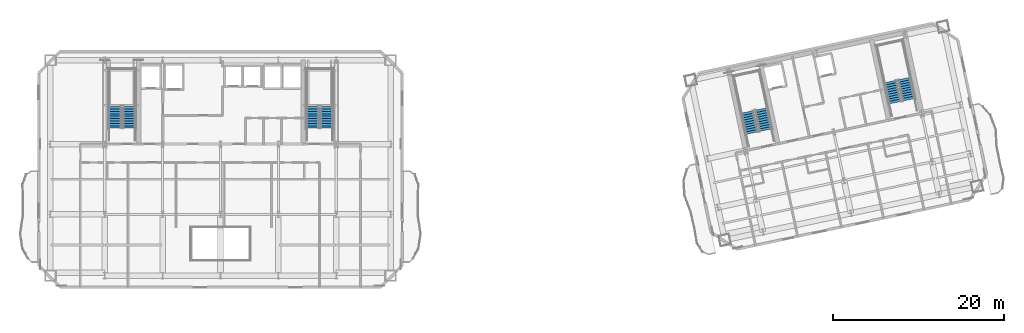
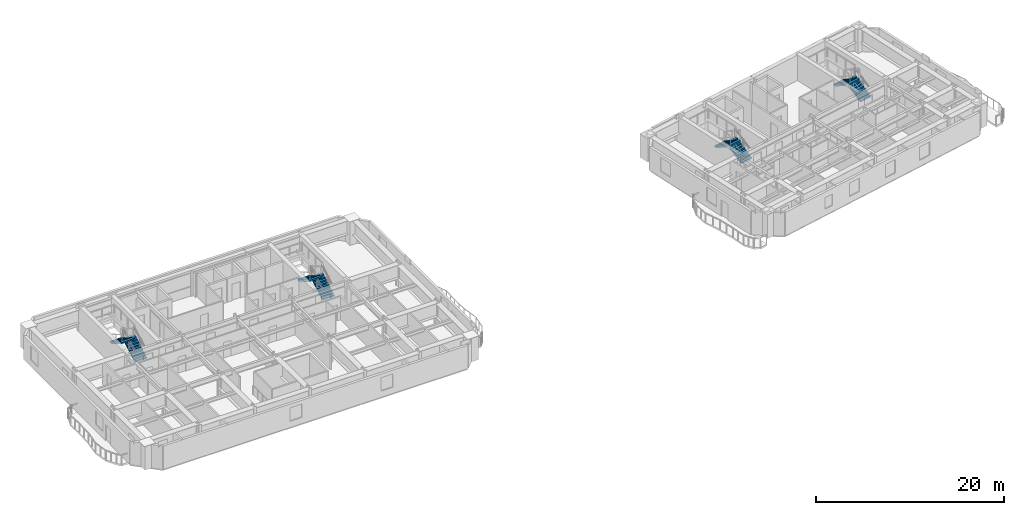
# One storey, part 11 of 15: 8 stair flights, 4 elements without a shape of their own.
"""IFC4 building model written with IfcOpenShell, lengths in metres."""

from ifc_helpers import new_model, si_unit, direction, frame, origin, place, context, subcontext, project, spatial, polyline, outline, extrude, material, type_object, element, aggregate, save


model = new_model("IFC4")

# Units and contexts
model_context = context("Model", 3, precision=1e-05, world=origin(), true_north=direction((0.0, 1.0)))
body_context = subcontext(model_context, "Body", "Model", "MODEL_VIEW")
ifc_project = project(units=[si_unit("LENGTHUNIT", "METRE"), si_unit("AREAUNIT", "SQUARE_METRE"), si_unit("VOLUMEUNIT", "CUBIC_METRE"), si_unit("PLANEANGLEUNIT", "RADIAN"), si_unit("MASSUNIT", "GRAM", prefix="KILO")], contexts=[model_context])

# Site, building, storey
site_placement = place(None, origin())
site = spatial("IfcSite", under=ifc_project, at=site_placement, CompositionType="ELEMENT")
building_placement = place(site_placement, origin())
building = spatial("IfcBuilding", under=site, at=building_placement, Name="Haevon Station Towers", CompositionType="ELEMENT")
storey_placement = place(building_placement, frame((0.0, 0.0, 152.699951171875)))
storey = spatial("IfcBuildingStorey", under=building, at=storey_placement, Name="L41", CompositionType="ELEMENT", Elevation=152.699951171875)

# Stair, stair flights
ifc_material = material(Name="Concrete C40/50", Category="concrete")
stair_type = type_object("IfcStairType", Name="STR-DL1450", PredefinedType="USERDEFINED", material=ifc_material)
stair_1_placement = place(storey_placement, origin())
stair_1 = element("IfcStair", 1, at=stair_1_placement, inside=storey, type_object=stair_type, Name="L41 Escape Stair ST1", ObjectType="TWO_RETURN_STAIR", PredefinedType="USERDEFINED")
stair_flight_type = type_object("IfcStairFlightType", Name="STF-ST1450", PredefinedType="STRAIGHT", material=ifc_material)
stair_flight_1_placement = place(storey_placement, frame((26.85498046875, 40.050048828125, 0.0), z_axis=(0.0, 0.0, 1.0), x_axis=(0.0, 1.0, 0.0)))
stair_flight_1 = element("IfcStairFlight", 2, at=stair_flight_1_placement, type_object=stair_flight_type, Name="L41 ST1 Flight 1", NumberOfRisers=10, NumberOfTreads=9, PredefinedType="STRAIGHT", RiserHeight=0.165, TreadLength=0.28, context=body_context, shape_type="SweptSolid", body=[
    extrude(outline(polyline([(0.0, 0.0), (0.0, 0.1650390625), (0.280029296875, 0.1650390625), (0.280029296875, 0.330078125), (0.56005859375, 0.330078125), (0.56005859375, 0.4951171875), (0.840087890625, 0.4951171875), (0.840087890625, 0.659912109375), (1.1201171875, 0.659912109375), (1.1201171875, 0.824951171875), (1.39990234375, 0.824951171875), (1.39990234375, 0.989990234375), (1.679931640625, 0.989990234375), (1.679931640625, 1.155029296875), (1.9599609375, 1.155029296875), (1.9599609375, 1.320068359375), (2.239990234375, 1.320068359375), (2.239990234375, 1.485107421875), (2.52001953125, 1.485107421875), (2.52001953125, 1.64990234375), (2.52001953125, 1.29931640625), (0.31494140625, 0.0), (0.0, 0.0)])), frame((0.0, 0.72509765625, 0.0), z_axis=(0.0, -1.0, 0.0), x_axis=(1.0, 0.0, 0.0)), (0.0, 0.0, 1.0), 1.449951171875),
])
stair_flight_2_placement = place(storey_placement, frame((25.205078125, 42.570068359375, 1.650146484375), z_axis=(0.0, 0.0, 1.0), x_axis=(0.0, -1.0, 0.0)))
stair_flight_2 = element("IfcStairFlight", 3, at=stair_flight_2_placement, type_object=stair_flight_type, Name="L41 ST1 Flight 2", NumberOfRisers=10, NumberOfTreads=9, PredefinedType="STRAIGHT", RiserHeight=0.165, TreadLength=0.28, context=body_context, shape_type="SweptSolid", body=[
    extrude(outline(polyline([(0.0, 0.0), (0.0, 0.1650390625), (0.280029296875, 0.1650390625), (0.280029296875, 0.330078125), (0.56005859375, 0.330078125), (0.56005859375, 0.4951171875), (0.840087890625, 0.4951171875), (0.840087890625, 0.659912109375), (1.1201171875, 0.659912109375), (1.1201171875, 0.824951171875), (1.39990234375, 0.824951171875), (1.39990234375, 0.989990234375), (1.679931640625, 0.989990234375), (1.679931640625, 1.155029296875), (1.9599609375, 1.155029296875), (1.9599609375, 1.320068359375), (2.239990234375, 1.320068359375), (2.239990234375, 1.485107421875), (2.52001953125, 1.485107421875), (2.52001953125, 1.64990234375), (2.52001953125, 1.29931640625), (0.31494140625, 0.0), (0.0, 0.0)])), frame((0.0, 0.72509765625, 0.0), z_axis=(0.0, -1.0, 0.0), x_axis=(1.0, 0.0, 0.0)), (0.0, 0.0, 1.0), 1.449951171875),
])
aggregate(stair_1, [stair_flight_1, stair_flight_2])

stair_2_placement = place(storey_placement, origin())
stair_2 = element("IfcStair", 4, at=stair_2_placement, inside=storey, type_object=stair_type, Name="L41 Escape Stair ST2", ObjectType="TWO_RETURN_STAIR", PredefinedType="USERDEFINED")
stair_flight_3_placement = place(storey_placement, frame((49.89501953125, 40.050048828125, 0.0), z_axis=(0.0, 0.0, 1.0), x_axis=(0.0, 1.0, 0.0)))
stair_flight_3 = element("IfcStairFlight", 5, at=stair_flight_3_placement, type_object=stair_flight_type, Name="L41 ST2 Flight 1", NumberOfRisers=10, NumberOfTreads=9, PredefinedType="STRAIGHT", RiserHeight=0.165, TreadLength=0.28, context=body_context, shape_type="SweptSolid", body=[
    extrude(outline(polyline([(0.0, 0.0), (0.0, 0.1650390625), (0.280029296875, 0.1650390625), (0.280029296875, 0.330078125), (0.56005859375, 0.330078125), (0.56005859375, 0.4951171875), (0.840087890625, 0.4951171875), (0.840087890625, 0.659912109375), (1.1201171875, 0.659912109375), (1.1201171875, 0.824951171875), (1.39990234375, 0.824951171875), (1.39990234375, 0.989990234375), (1.679931640625, 0.989990234375), (1.679931640625, 1.155029296875), (1.9599609375, 1.155029296875), (1.9599609375, 1.320068359375), (2.239990234375, 1.320068359375), (2.239990234375, 1.485107421875), (2.52001953125, 1.485107421875), (2.52001953125, 1.64990234375), (2.52001953125, 1.29931640625), (0.31494140625, 0.0), (0.0, 0.0)])), frame((0.0, 0.72509765625, 0.0), z_axis=(0.0, -1.0, 0.0), x_axis=(1.0, 0.0, 0.0)), (0.0, 0.0, 1.0), 1.449951171875),
])
stair_flight_4_placement = place(storey_placement, frame((48.2451171875, 42.570068359375, 1.650146484375), z_axis=(0.0, 0.0, 1.0), x_axis=(0.0, -1.0, 0.0)))
stair_flight_4 = element("IfcStairFlight", 6, at=stair_flight_4_placement, type_object=stair_flight_type, Name="L41 ST2 Flight 2", NumberOfRisers=10, NumberOfTreads=9, PredefinedType="STRAIGHT", RiserHeight=0.165, TreadLength=0.28, context=body_context, shape_type="SweptSolid", body=[
    extrude(outline(polyline([(0.0, 0.0), (0.0, 0.1650390625), (0.280029296875, 0.1650390625), (0.280029296875, 0.330078125), (0.56005859375, 0.330078125), (0.56005859375, 0.4951171875), (0.840087890625, 0.4951171875), (0.840087890625, 0.659912109375), (1.1201171875, 0.659912109375), (1.1201171875, 0.824951171875), (1.39990234375, 0.824951171875), (1.39990234375, 0.989990234375), (1.679931640625, 0.989990234375), (1.679931640625, 1.155029296875), (1.9599609375, 1.155029296875), (1.9599609375, 1.320068359375), (2.239990234375, 1.320068359375), (2.239990234375, 1.485107421875), (2.52001953125, 1.485107421875), (2.52001953125, 1.64990234375), (2.52001953125, 1.29931640625), (0.31494140625, 0.0), (0.0, 0.0)])), frame((0.0, 0.72509765625, 0.0), z_axis=(0.0, -1.0, 0.0), x_axis=(1.0, 0.0, 0.0)), (0.0, 0.0, 1.0), 1.449951171875),
])
aggregate(stair_2, [stair_flight_3, stair_flight_4])

stair_3_placement = place(storey_placement, origin())
stair_3 = element("IfcStair", 7, at=stair_3_placement, inside=storey, type_object=stair_type, Name="L41 Escape Stair ST3", ObjectType="TWO_RETURN_STAIR", PredefinedType="USERDEFINED")
stair_flight_5_placement = place(storey_placement, frame((101.1015625, 39.8330078125, 0.0), z_axis=(0.0, 0.0, 1.0), x_axis=(-0.207911690818, 0.978147600734, 0.0)))
stair_flight_5 = element("IfcStairFlight", 8, at=stair_flight_5_placement, type_object=stair_flight_type, Name="L41 ST3 Flight 1", NumberOfRisers=10, NumberOfTreads=9, PredefinedType="STRAIGHT", RiserHeight=0.165, TreadLength=0.28, context=body_context, shape_type="SweptSolid", body=[
    extrude(outline(polyline([(0.0, 0.0), (0.0, 0.1650390625), (0.280029296875, 0.1650390625), (0.280029296875, 0.330078125), (0.56005859375, 0.330078125), (0.56005859375, 0.4951171875), (0.840087890625, 0.4951171875), (0.840087890625, 0.659912109375), (1.1201171875, 0.659912109375), (1.1201171875, 0.824951171875), (1.39990234375, 0.824951171875), (1.39990234375, 0.989990234375), (1.679931640625, 0.989990234375), (1.679931640625, 1.155029296875), (1.9599609375, 1.155029296875), (1.9599609375, 1.320068359375), (2.239990234375, 1.320068359375), (2.239990234375, 1.485107421875), (2.52001953125, 1.485107421875), (2.52001953125, 1.64990234375), (2.52001953125, 1.29931640625), (0.31494140625, 0.0), (0.0, 0.0)])), frame((0.0, 0.72509765625, 0.0), z_axis=(0.0, -1.0, 0.0), x_axis=(1.0, 0.0, 0.0)), (0.0, 0.0, 1.0), 1.449951171875),
])
stair_flight_6_placement = place(storey_placement, frame((98.9638671875, 41.955078125, 1.650146484375), z_axis=(0.0, 0.0, 1.0), x_axis=(0.207911690818, -0.978147600734, 0.0)))
stair_flight_6 = element("IfcStairFlight", 9, at=stair_flight_6_placement, type_object=stair_flight_type, Name="L41 ST3 Flight 2", NumberOfRisers=10, NumberOfTreads=9, PredefinedType="STRAIGHT", RiserHeight=0.165, TreadLength=0.28, context=body_context, shape_type="SweptSolid", body=[
    extrude(outline(polyline([(0.0, 0.0), (0.0, 0.1650390625), (0.280029296875, 0.1650390625), (0.280029296875, 0.330078125), (0.56005859375, 0.330078125), (0.56005859375, 0.4951171875), (0.840087890625, 0.4951171875), (0.840087890625, 0.659912109375), (1.1201171875, 0.659912109375), (1.1201171875, 0.824951171875), (1.39990234375, 0.824951171875), (1.39990234375, 0.989990234375), (1.679931640625, 0.989990234375), (1.679931640625, 1.155029296875), (1.9599609375, 1.155029296875), (1.9599609375, 1.320068359375), (2.239990234375, 1.320068359375), (2.239990234375, 1.485107421875), (2.52001953125, 1.485107421875), (2.52001953125, 1.64990234375), (2.52001953125, 1.29931640625), (0.31494140625, 0.0), (0.0, 0.0)])), frame((0.0, 0.72509765625, 0.0), z_axis=(0.0, -1.0, 0.0), x_axis=(1.0, 0.0, 0.0)), (0.0, 0.0, 1.0), 1.449951171875),
])
aggregate(stair_3, [stair_flight_5, stair_flight_6])

stair_4_placement = place(storey_placement, origin())
stair_4 = element("IfcStair", 10, at=stair_4_placement, inside=storey, type_object=stair_type, Name="L41 Escape Stair ST4", ObjectType="TWO_RETURN_STAIR", PredefinedType="USERDEFINED")
stair_flight_7_placement = place(storey_placement, frame((117.788818359375, 43.380126953125, 0.0), z_axis=(0.0, 0.0, 1.0), x_axis=(-0.207911690818, 0.978147600734, 0.0)))
stair_flight_7 = element("IfcStairFlight", 11, at=stair_flight_7_placement, type_object=stair_flight_type, Name="L41 ST4 Flight 1", NumberOfRisers=10, NumberOfTreads=9, PredefinedType="STRAIGHT", RiserHeight=0.165, TreadLength=0.28, context=body_context, shape_type="SweptSolid", body=[
    extrude(outline(polyline([(0.0, 0.0), (0.0, 0.1650390625), (0.280029296875, 0.1650390625), (0.280029296875, 0.330078125), (0.56005859375, 0.330078125), (0.56005859375, 0.4951171875), (0.840087890625, 0.4951171875), (0.840087890625, 0.659912109375), (1.1201171875, 0.659912109375), (1.1201171875, 0.824951171875), (1.39990234375, 0.824951171875), (1.39990234375, 0.989990234375), (1.679931640625, 0.989990234375), (1.679931640625, 1.155029296875), (1.9599609375, 1.155029296875), (1.9599609375, 1.320068359375), (2.239990234375, 1.320068359375), (2.239990234375, 1.485107421875), (2.52001953125, 1.485107421875), (2.52001953125, 1.64990234375), (2.52001953125, 1.29931640625), (0.31494140625, 0.0), (0.0, 0.0)])), frame((0.0, 0.72509765625, 0.0), z_axis=(0.0, -1.0, 0.0), x_axis=(1.0, 0.0, 0.0)), (0.0, 0.0, 1.0), 1.449951171875),
])
stair_flight_8_placement = place(storey_placement, frame((115.65087890625, 45.501953125, 1.650146484375), z_axis=(0.0, 0.0, 1.0), x_axis=(0.207911690818, -0.978147600734, 0.0)))
stair_flight_8 = element("IfcStairFlight", 12, at=stair_flight_8_placement, type_object=stair_flight_type, Name="L41 ST4 Flight 2", NumberOfRisers=10, NumberOfTreads=9, PredefinedType="STRAIGHT", RiserHeight=0.165, TreadLength=0.28, context=body_context, shape_type="SweptSolid", body=[
    extrude(outline(polyline([(0.0, 0.0), (0.0, 0.1650390625), (0.280029296875, 0.1650390625), (0.280029296875, 0.330078125), (0.56005859375, 0.330078125), (0.56005859375, 0.4951171875), (0.840087890625, 0.4951171875), (0.840087890625, 0.659912109375), (1.1201171875, 0.659912109375), (1.1201171875, 0.824951171875), (1.39990234375, 0.824951171875), (1.39990234375, 0.989990234375), (1.679931640625, 0.989990234375), (1.679931640625, 1.155029296875), (1.9599609375, 1.155029296875), (1.9599609375, 1.320068359375), (2.239990234375, 1.320068359375), (2.239990234375, 1.485107421875), (2.52001953125, 1.485107421875), (2.52001953125, 1.64990234375), (2.52001953125, 1.29931640625), (0.31494140625, 0.0), (0.0, 0.0)])), frame((0.0, 0.72509765625, 0.0), z_axis=(0.0, -1.0, 0.0), x_axis=(1.0, 0.0, 0.0)), (0.0, 0.0, 1.0), 1.449951171875),
])
aggregate(stair_4, [stair_flight_7, stair_flight_8])

save(model, "model.ifc")
